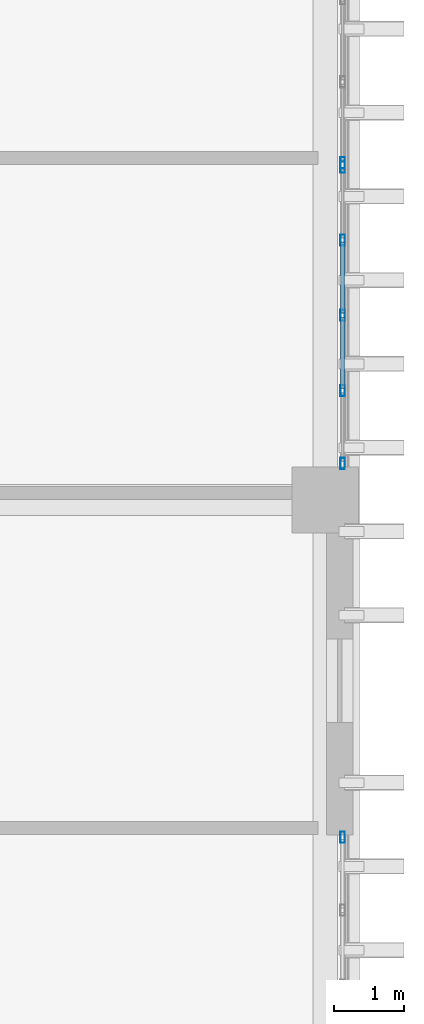
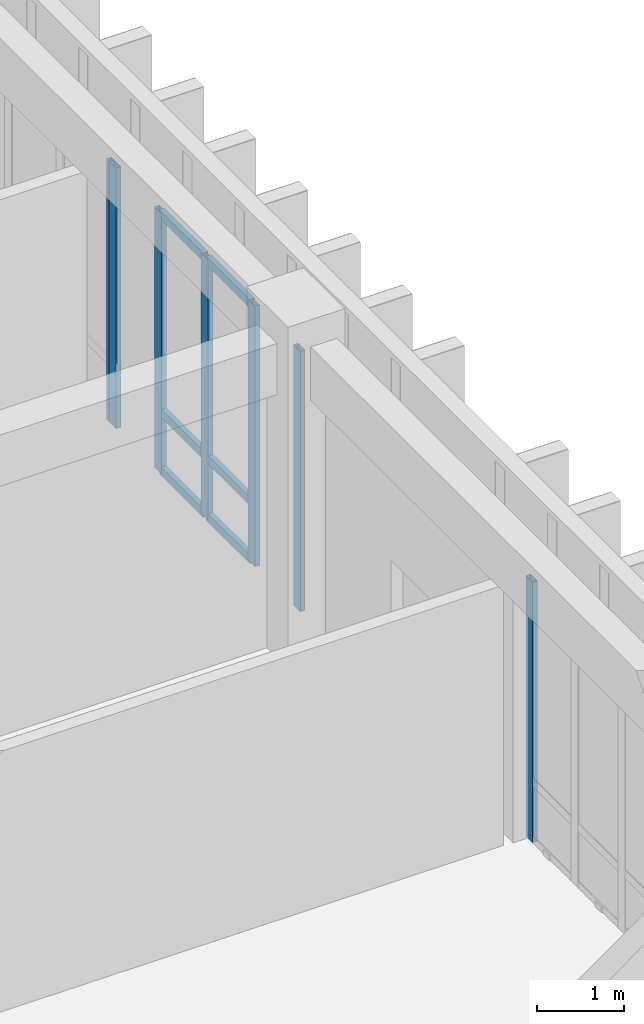
# One storey, part 83 of 133: 13 members, 3 elements without a shape of their own.
"""IFC4 building model written with IfcOpenShell, lengths in metres."""

from ifc_helpers import new_model, si_unit, direction, frame, origin, origin_2d, place, context, subcontext, project, spatial, hollow_rectangle, extrude, material, layer, layer_set, material_profile, profile_set, type_object, element, aggregate, save


model = new_model("IFC4")

# Units and contexts
model_context = context("Model", 3, precision=1e-05, world=origin(), true_north=direction((0.0, 1.0)))
body_context = subcontext(model_context, "Body", "Model", "MODEL_VIEW")
ifc_project = project(units=[si_unit("LENGTHUNIT", "METRE"), si_unit("AREAUNIT", "SQUARE_METRE"), si_unit("VOLUMEUNIT", "CUBIC_METRE"), si_unit("PLANEANGLEUNIT", "RADIAN"), si_unit("MASSUNIT", "GRAM", prefix="KILO")], contexts=[model_context])

# Site, building, storey
site_placement = place(None, origin())
site = spatial("IfcSite", under=ifc_project, at=site_placement, CompositionType="ELEMENT")
building_placement = place(site_placement, origin())
building = spatial("IfcBuilding", under=site, at=building_placement, Name="Nakhvara Creek Congress Hotel", CompositionType="ELEMENT")
storey_placement = place(building_placement, frame((0.0, 0.0, 11.39990234375)))
storey = spatial("IfcBuildingStorey", under=building, at=storey_placement, Name="L02", CompositionType="ELEMENT", Elevation=11.39990234375)

# Curtain wall, member
ifc_material_1 = material(Name="Bronze-anodised aluminium AW-6063-T6 and double-silver low-E glass", Category="aluminium")
ifc_layer = layer(ifc_material_1, 0.199951171875)
ifc_layer_set = layer_set([ifc_layer], Name="Bronze-anodised aluminium AW-6063-T6 and double-silver low-E glass")
curtain_wall_type = type_object("IfcCurtainWallType", Name="CW-HTL-UNIT", PredefinedType="USERDEFINED", material=ifc_layer_set)
curtain_wall_1_placement = place(storey_placement, origin())
curtain_wall_1 = element("IfcCurtainWall", 1, at=curtain_wall_1_placement, inside=storey, type_object=curtain_wall_type, Name="Curtain Wall CW145", ObjectType="UNITISED", PredefinedType="USERDEFINED")
ifc_material_2 = material(Name="Bronze-anodised aluminium AW-6063-T6", Category="aluminium")
ifc_material_profile_1 = material_profile(ifc_material_2, hollow_rectangle(XDim=0.06494140625, YDim=0.159912109375, WallThickness=0.00390625, at=origin_2d()), Name="ALU-MULL 65x160x4", Category="LoadBearing")
ifc_profile_set_1 = profile_set([ifc_material_profile_1], Name="Bronze-anodised aluminium AW-6063-T6")
member_type_1 = type_object("IfcMemberType", Name="CW-MULL-160", PredefinedType="MULLION", material=ifc_profile_set_1)
member_1_placement = place(storey_placement, frame((179.60009765625, 110.367431640625, 0.0), z_axis=(0.0, 0.0, 1.0), x_axis=(1.0, 0.0, 0.0)))
member_1 = element("IfcMember", 2, at=member_1_placement, type_object=member_type_1, Name="CW145 mullion 1", PredefinedType="MULLION", context=body_context, shape_type="SweptSolid", body=[
    extrude(hollow_rectangle(XDim=0.06494140625, YDim=0.159912109375, WallThickness=0.00390625, at=origin_2d()), origin(), (0.0, 0.0, 1.0), 3.662109375),
])
aggregate(curtain_wall_1, [member_1])

# Curtain wall, members
curtain_wall_2_placement = place(storey_placement, origin())
curtain_wall_2 = element("IfcCurtainWall", 3, at=curtain_wall_2_placement, inside=storey, type_object=curtain_wall_type, Name="Curtain Wall CW147", ObjectType="UNITISED", PredefinedType="USERDEFINED")
member_2_placement = place(storey_placement, frame((179.60009765625, 119.967529296875, 0.0), z_axis=(0.0, 0.0, 1.0), x_axis=(1.0, 0.0, 0.0)))
member_2 = element("IfcMember", 4, at=member_2_placement, type_object=member_type_1, Name="CW147 mullion 1", PredefinedType="MULLION", context=body_context, shape_type="SweptSolid", body=[
    extrude(hollow_rectangle(XDim=0.06494140625, YDim=0.159912109375, WallThickness=0.00390625, at=origin_2d()), origin(), (0.0, 0.0, 1.0), 3.662109375),
])
member_3_placement = place(storey_placement, frame((179.60009765625, 118.922607421875, 0.0), z_axis=(0.0, 0.0, 1.0), x_axis=(1.0, 0.0, 0.0)))
member_3 = element("IfcMember", 5, at=member_3_placement, type_object=member_type_1, Name="CW147 mullion 2", PredefinedType="MULLION", context=body_context, shape_type="SweptSolid", body=[
    extrude(hollow_rectangle(XDim=0.06494140625, YDim=0.159912109375, WallThickness=0.00390625, at=origin_2d()), origin(), (0.0, 0.0, 1.0), 3.662109375),
])
member_4_placement = place(storey_placement, frame((179.60009765625, 117.844970703125, 0.0), z_axis=(0.0, 0.0, 1.0), x_axis=(1.0, 0.0, 0.0)))
member_4 = element("IfcMember", 6, at=member_4_placement, type_object=member_type_1, Name="CW147 mullion 3", PredefinedType="MULLION", context=body_context, shape_type="SweptSolid", body=[
    extrude(hollow_rectangle(XDim=0.06494140625, YDim=0.159912109375, WallThickness=0.00390625, at=origin_2d()), origin(), (0.0, 0.0, 1.0), 3.662109375),
])
member_5_placement = place(storey_placement, frame((179.60009765625, 116.767578125, 0.0), z_axis=(0.0, 0.0, 1.0), x_axis=(1.0, 0.0, 0.0)))
member_5 = element("IfcMember", 7, at=member_5_placement, type_object=member_type_1, Name="CW147 mullion 4", PredefinedType="MULLION", context=body_context, shape_type="SweptSolid", body=[
    extrude(hollow_rectangle(XDim=0.06494140625, YDim=0.159912109375, WallThickness=0.00390625, at=origin_2d()), origin(), (0.0, 0.0, 1.0), 3.662109375),
])
member_6_placement = place(storey_placement, frame((179.60009765625, 115.722412109375, 0.0), z_axis=(0.0, 0.0, 1.0), x_axis=(1.0, 0.0, 0.0)))
member_6 = element("IfcMember", 8, at=member_6_placement, type_object=member_type_1, Name="CW147 mullion 5", PredefinedType="MULLION", context=body_context, shape_type="SweptSolid", body=[
    extrude(hollow_rectangle(XDim=0.06494140625, YDim=0.159912109375, WallThickness=0.00390625, at=origin_2d()), origin(), (0.0, 0.0, 1.0), 3.662109375),
])

# Curtain wall, member
curtain_wall_3_placement = place(storey_placement, origin())
curtain_wall_3 = element("IfcCurtainWall", 9, at=curtain_wall_3_placement, inside=storey, type_object=curtain_wall_type, Name="Curtain Wall CW149", ObjectType="UNITISED", PredefinedType="USERDEFINED")
member_7_placement = place(storey_placement, frame((179.60009765625, 120.032470703125, 0.0), z_axis=(0.0, 0.0, 1.0), x_axis=(1.0, 0.0, 0.0)))
member_7 = element("IfcMember", 10, at=member_7_placement, type_object=member_type_1, Name="CW149 mullion 5", PredefinedType="MULLION", context=body_context, shape_type="SweptSolid", body=[
    extrude(hollow_rectangle(XDim=0.06494140625, YDim=0.159912109375, WallThickness=0.00390625, at=origin_2d()), origin(), (0.0, 0.0, 1.0), 3.662109375),
])
aggregate(curtain_wall_3, [member_7])

# Member
ifc_material_profile_2 = material_profile(ifc_material_2, hollow_rectangle(XDim=0.06494140625, YDim=0.1201171875, WallThickness=0.00390625, at=origin_2d()), Name="ALU-TRAN 65x120x4", Category="LoadBearing")
ifc_profile_set_2 = profile_set([ifc_material_profile_2], Name="Bronze-anodised aluminium AW-6063-T6")
member_type_2 = type_object("IfcMemberType", Name="CW-TRAN-120", PredefinedType="USERDEFINED", material=ifc_profile_set_2)
member_8_placement = place(storey_placement, frame((179.60009765625, 118.889892578125, 0.03271484375), z_axis=(0.0, -1.0, 0.0), x_axis=(1.0, 0.0, 0.0)))
member_8 = element("IfcMember", 11, at=member_8_placement, type_object=member_type_2, Name="CW147 transom 2.1", ObjectType="TRANSOM", PredefinedType="USERDEFINED", context=body_context, shape_type="SweptSolid", body=[
    extrude(hollow_rectangle(XDim=0.06494140625, YDim=0.1201171875, WallThickness=0.00390625, at=origin_2d()), origin(), (0.0, 0.0, 1.0), 1.012451171875),
])

member_9_placement = place(storey_placement, frame((179.60009765625, 118.889892578125, 0.85009765625), z_axis=(0.0, -1.0, 0.0), x_axis=(1.0, 0.0, 0.0)))
member_9 = element("IfcMember", 12, at=member_9_placement, type_object=member_type_2, Name="CW147 transom 2.2", ObjectType="TRANSOM", PredefinedType="USERDEFINED", context=body_context, shape_type="SweptSolid", body=[
    extrude(hollow_rectangle(XDim=0.06494140625, YDim=0.1201171875, WallThickness=0.00390625, at=origin_2d()), origin(), (0.0, 0.0, 1.0), 1.012451171875),
])

member_10_placement = place(storey_placement, frame((179.60009765625, 118.889892578125, 3.629638671875), z_axis=(0.0, -1.0, 0.0), x_axis=(1.0, 0.0, 0.0)))
member_10 = element("IfcMember", 13, at=member_10_placement, type_object=member_type_2, Name="CW147 transom 2.3", ObjectType="TRANSOM", PredefinedType="USERDEFINED", context=body_context, shape_type="SweptSolid", body=[
    extrude(hollow_rectangle(XDim=0.06494140625, YDim=0.1201171875, WallThickness=0.00390625, at=origin_2d()), origin(), (0.0, 0.0, 1.0), 1.012451171875),
])

member_11_placement = place(storey_placement, frame((179.60009765625, 117.8125, 0.03271484375), z_axis=(0.0, -1.0, 0.0), x_axis=(1.0, 0.0, 0.0)))
member_11 = element("IfcMember", 14, at=member_11_placement, type_object=member_type_2, Name="CW147 transom 3.1", ObjectType="TRANSOM", PredefinedType="USERDEFINED", context=body_context, shape_type="SweptSolid", body=[
    extrude(hollow_rectangle(XDim=0.06494140625, YDim=0.1201171875, WallThickness=0.00390625, at=origin_2d()), origin(), (0.0, 0.0, 1.0), 1.012451171875),
])

member_12_placement = place(storey_placement, frame((179.60009765625, 117.8125, 0.85009765625), z_axis=(0.0, -1.0, 0.0), x_axis=(1.0, 0.0, 0.0)))
member_12 = element("IfcMember", 15, at=member_12_placement, type_object=member_type_2, Name="CW147 transom 3.2", ObjectType="TRANSOM", PredefinedType="USERDEFINED", context=body_context, shape_type="SweptSolid", body=[
    extrude(hollow_rectangle(XDim=0.06494140625, YDim=0.1201171875, WallThickness=0.00390625, at=origin_2d()), origin(), (0.0, 0.0, 1.0), 1.012451171875),
])

member_13_placement = place(storey_placement, frame((179.60009765625, 117.8125, 3.629638671875), z_axis=(0.0, -1.0, 0.0), x_axis=(1.0, 0.0, 0.0)))
member_13 = element("IfcMember", 16, at=member_13_placement, type_object=member_type_2, Name="CW147 transom 3.3", ObjectType="TRANSOM", PredefinedType="USERDEFINED", context=body_context, shape_type="SweptSolid", body=[
    extrude(hollow_rectangle(XDim=0.06494140625, YDim=0.1201171875, WallThickness=0.00390625, at=origin_2d()), origin(), (0.0, 0.0, 1.0), 1.012451171875),
])

aggregate(curtain_wall_2, [member_2, member_3, member_4, member_5, member_6, member_8, member_9, member_10, member_11, member_12, member_13])

save(model, "model.ifc")
